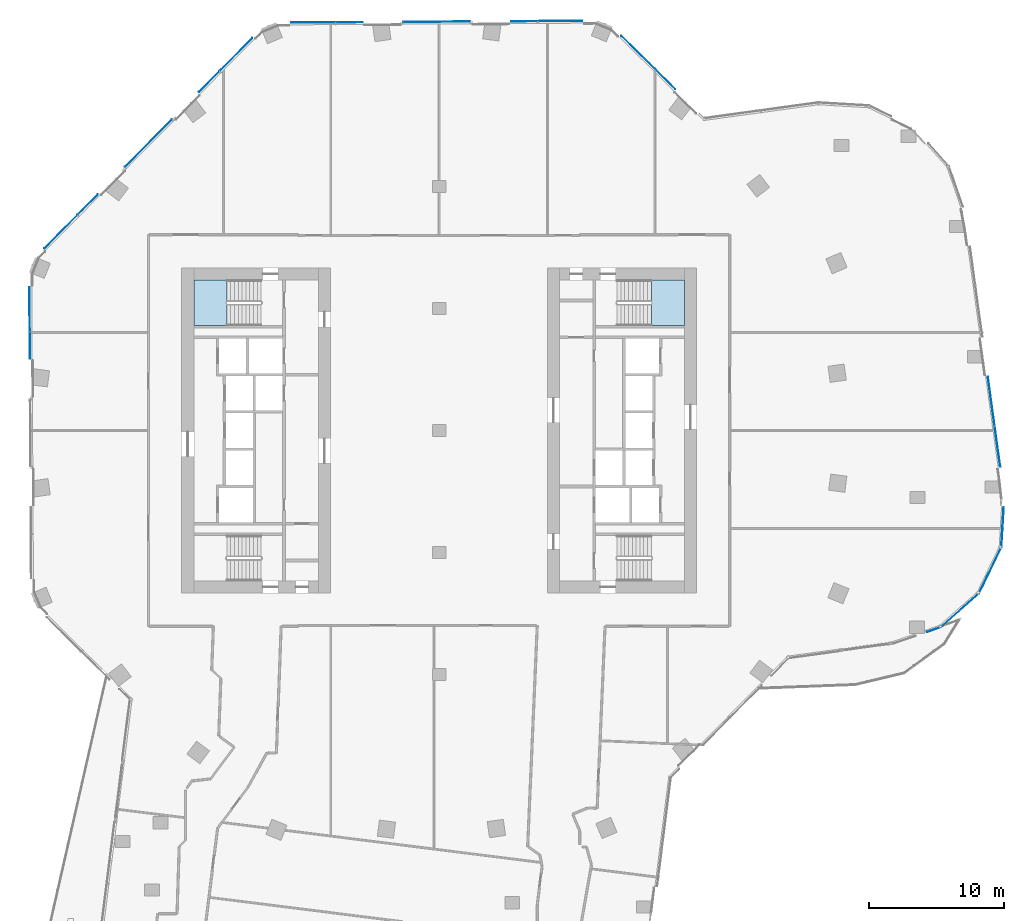
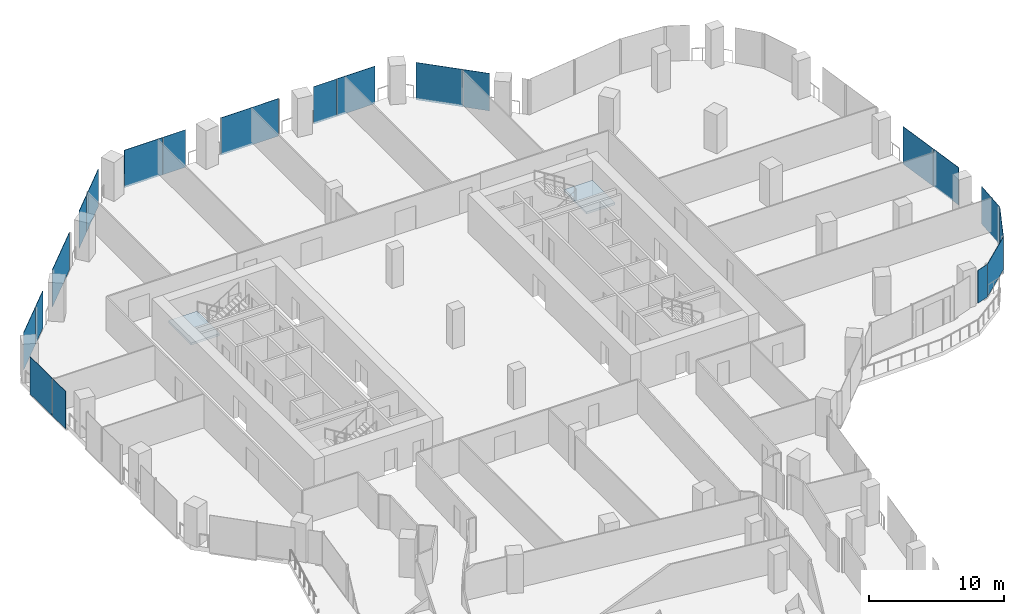
# One storey, part 17 of 29: 20 plates, 2 slabs, 11 elements without a shape of their own.
"""IFC4 building model written with IfcOpenShell, lengths in metres."""

from ifc_helpers import new_model, si_unit, direction, frame, origin, origin_2d, place, context, subcontext, project, spatial, polyline, rectangle, outline, extrude, material, layer, layer_set, type_object, element, aggregate, save


model = new_model("IFC4")

# Units and contexts
model_context = context("Model", 3, precision=1e-05, world=origin(), true_north=direction((0.0, 1.0)))
body_context = subcontext(model_context, "Body", "Model", "MODEL_VIEW")
ifc_project = project(units=[si_unit("LENGTHUNIT", "METRE"), si_unit("AREAUNIT", "SQUARE_METRE"), si_unit("VOLUMEUNIT", "CUBIC_METRE"), si_unit("PLANEANGLEUNIT", "RADIAN"), si_unit("MASSUNIT", "GRAM", prefix="KILO")], contexts=[model_context])

# Site, building, storey
site_placement = place(None, origin())
site = spatial("IfcSite", under=ifc_project, at=site_placement, CompositionType="ELEMENT")
building_placement = place(site_placement, origin())
building = spatial("IfcBuilding", under=site, at=building_placement, Name="Orlundy Tower", CompositionType="ELEMENT")
storey_placement = place(building_placement, frame((0.0, 0.0, 188.60009765625)))
storey = spatial("IfcBuildingStorey", under=building, at=storey_placement, Name="L49", CompositionType="ELEMENT", Elevation=188.60009765625)

# Curtain wall, plates
ifc_material_1 = material(Name="Aluminium bronze anodised", Category="aluminium")
curtain_wall_type = type_object("IfcCurtainWallType", Name="CW1 wall", PredefinedType="NOTDEFINED", material=ifc_material_1)
curtain_wall_1_placement = place(storey_placement, origin())
curtain_wall_1 = element("IfcCurtainWall", 1, at=curtain_wall_1_placement, inside=storey, type_object=curtain_wall_type, Name="CW1 run 02", PredefinedType="NOTDEFINED")
ifc_material_2 = material(Name="Tinted glass", Category="glass")
ifc_layer_1 = layer(ifc_material_2, 0.031982421875)
ifc_layer_set_1 = layer_set([ifc_layer_1], Name="CW1 glass panel 32")
plate_type = type_object("IfcPlateType", Name="CW1 glass panel 32", PredefinedType="CURTAIN_PANEL", material=ifc_layer_set_1)
plate_1_placement = place(storey_placement, frame((-30.201171875, 6.283447265625, -0.300048828125), z_axis=(0.0, 0.0, 1.0), x_axis=(-0.005834206419, 0.999982980873, 0.0)))
plate_1 = element("IfcPlate", 2, at=plate_1_placement, type_object=plate_type, Name="CW1 panel", PredefinedType="CURTAIN_PANEL", context=body_context, shape_type="SweptSolid", body=[
    extrude(rectangle(XDim=1.944091796875, YDim=0.031982421875, at=origin_2d()), origin(), (0.0, 0.0, 1.0), 3.3798828125),
])
plate_2_placement = place(storey_placement, frame((-30.216552734375, 8.938232421875, -0.300048828125), z_axis=(0.0, 0.0, 1.0), x_axis=(-0.005834206419, 0.999982980873, 0.0)))
plate_2 = element("IfcPlate", 3, at=plate_2_placement, type_object=plate_type, Name="CW1 panel", PredefinedType="CURTAIN_PANEL", context=body_context, shape_type="SweptSolid", body=[
    extrude(rectangle(XDim=3.265625, YDim=0.031982421875, at=origin_2d()), origin(), (0.0, 0.0, 1.0), 3.3798828125),
])
aggregate(curtain_wall_1, [plate_1, plate_2])

curtain_wall_2_placement = place(storey_placement, origin())
curtain_wall_2 = element("IfcCurtainWall", 4, at=curtain_wall_2_placement, inside=storey, type_object=curtain_wall_type, Name="CW1 run 03", PredefinedType="NOTDEFINED")
plate_3_placement = place(storey_placement, frame((-27.918701171875, 14.663818359375, -0.300048828125), z_axis=(0.0, 0.0, 1.0), x_axis=(0.702990637629, 0.711199102506, 0.0)))
plate_3 = element("IfcPlate", 5, at=plate_3_placement, type_object=plate_type, Name="CW1 panel", PredefinedType="CURTAIN_PANEL", context=body_context, shape_type="SweptSolid", body=[
    extrude(rectangle(XDim=3.432861328125, YDim=0.031982421875, at=origin_2d()), origin(), (0.0, 0.0, 1.0), 3.3798828125),
])
plate_4_placement = place(storey_placement, frame((-25.931640625, 16.674072265625, -0.300048828125), z_axis=(0.0, 0.0, 1.0), x_axis=(0.702990637629, 0.711199102506, 0.0)))
plate_4 = element("IfcPlate", 6, at=plate_4_placement, type_object=plate_type, Name="CW1 panel", PredefinedType="CURTAIN_PANEL", context=body_context, shape_type="SweptSolid", body=[
    extrude(rectangle(XDim=2.120361328125, YDim=0.031982421875, at=origin_2d()), origin(), (0.0, 0.0, 1.0), 3.3798828125),
])
plate_5_placement = place(storey_placement, frame((-21.453125, 21.204833984375, -0.300048828125), z_axis=(0.0, 0.0, 1.0), x_axis=(0.702990637629, 0.711199102506, 0.0)))
plate_5 = element("IfcPlate", 7, at=plate_5_placement, type_object=plate_type, Name="CW1 panel", PredefinedType="CURTAIN_PANEL", context=body_context, shape_type="SweptSolid", body=[
    extrude(rectangle(XDim=4.92041015625, YDim=0.031982421875, at=origin_2d()), origin(), (0.0, 0.0, 1.0), 3.3798828125),
])
plate_6_placement = place(storey_placement, frame((-16.976318359375, 25.73388671875, -0.300048828125), z_axis=(0.0, 0.0, 1.0), x_axis=(0.702990637629, 0.711199102506, 0.0)))
plate_6 = element("IfcPlate", 8, at=plate_6_placement, type_object=plate_type, Name="CW1 panel", PredefinedType="CURTAIN_PANEL", context=body_context, shape_type="SweptSolid", body=[
    extrude(rectangle(XDim=2.125, YDim=0.031982421875, at=origin_2d()), origin(), (0.0, 0.0, 1.0), 3.3798828125),
])
plate_7_placement = place(storey_placement, frame((-14.98974609375, 27.74365234375, -0.300048828125), z_axis=(0.0, 0.0, 1.0), x_axis=(0.702990637629, 0.711199102506, 0.0)))
plate_7 = element("IfcPlate", 9, at=plate_7_placement, type_object=plate_type, Name="CW1 panel", PredefinedType="CURTAIN_PANEL", context=body_context, shape_type="SweptSolid", body=[
    extrude(rectangle(XDim=3.427001953125, YDim=0.031982421875, at=origin_2d()), origin(), (0.0, 0.0, 1.0), 3.3798828125),
])
aggregate(curtain_wall_2, [plate_3, plate_4, plate_5, plate_6, plate_7])

curtain_wall_3_placement = place(storey_placement, origin())
curtain_wall_3 = element("IfcCurtainWall", 10, at=curtain_wall_3_placement, inside=storey, type_object=curtain_wall_type, Name="CW1 run 04", PredefinedType="NOTDEFINED")
plate_8_placement = place(storey_placement, frame((-9.28466796875, 30.1103515625, -0.300048828125), z_axis=(0.0, 0.0, 1.0), x_axis=(0.999982980873, 0.005834206419, 0.0)))
plate_8 = element("IfcPlate", 11, at=plate_8_placement, type_object=plate_type, Name="CW1 panel", PredefinedType="CURTAIN_PANEL", context=body_context, shape_type="SweptSolid", body=[
    extrude(rectangle(XDim=3.256591796875, YDim=0.031982421875, at=origin_2d()), origin(), (0.0, 0.0, 1.0), 3.3798828125),
])
plate_9_placement = place(storey_placement, frame((-6.6298828125, 30.125732421875, -0.300048828125), z_axis=(0.0, 0.0, 1.0), x_axis=(0.999982980873, 0.005834206419, 0.0)))
plate_9 = element("IfcPlate", 12, at=plate_9_placement, type_object=plate_type, Name="CW1 panel", PredefinedType="CURTAIN_PANEL", context=body_context, shape_type="SweptSolid", body=[
    extrude(rectangle(XDim=1.953125, YDim=0.031982421875, at=origin_2d()), origin(), (0.0, 0.0, 1.0), 3.3798828125),
])
plate_10_placement = place(storey_placement, frame((-0.175537109375, 30.16357421875, -0.300048828125), z_axis=(0.0, 0.0, 1.0), x_axis=(0.999982980873, 0.005834206419, 0.0)))
plate_10 = element("IfcPlate", 13, at=plate_10_placement, type_object=plate_type, Name="CW1 panel", PredefinedType="CURTAIN_PANEL", context=body_context, shape_type="SweptSolid", body=[
    extrude(rectangle(XDim=4.920654296875, YDim=0.031982421875, at=origin_2d()), origin(), (0.0, 0.0, 1.0), 3.3798828125),
])
plate_11_placement = place(storey_placement, frame((6.283447265625, 30.201171875, -0.300048828125), z_axis=(0.0, 0.0, 1.0), x_axis=(0.999982980873, 0.005834206419, 0.0)))
plate_11 = element("IfcPlate", 14, at=plate_11_placement, type_object=plate_type, Name="CW1 panel", PredefinedType="CURTAIN_PANEL", context=body_context, shape_type="SweptSolid", body=[
    extrude(rectangle(XDim=1.944091796875, YDim=0.031982421875, at=origin_2d()), origin(), (0.0, 0.0, 1.0), 3.3798828125),
])
plate_12_placement = place(storey_placement, frame((8.938232421875, 30.216552734375, -0.300048828125), z_axis=(0.0, 0.0, 1.0), x_axis=(0.999982980873, 0.005834206419, 0.0)))
plate_12 = element("IfcPlate", 15, at=plate_12_placement, type_object=plate_type, Name="CW1 panel", PredefinedType="CURTAIN_PANEL", context=body_context, shape_type="SweptSolid", body=[
    extrude(rectangle(XDim=3.265625, YDim=0.031982421875, at=origin_2d()), origin(), (0.0, 0.0, 1.0), 3.3798828125),
])
aggregate(curtain_wall_3, [plate_8, plate_9, plate_10, plate_11, plate_12])

curtain_wall_4_placement = place(storey_placement, origin())
curtain_wall_4 = element("IfcCurtainWall", 16, at=curtain_wall_4_placement, inside=storey, type_object=curtain_wall_type, Name="CW1 run 05", PredefinedType="NOTDEFINED")
plate_13_placement = place(storey_placement, frame((14.71630859375, 27.86669921875, -0.300048828125), z_axis=(0.0, 0.0, 1.0), x_axis=(0.711197941896, -0.702991811789, 0.0)))
plate_13 = element("IfcPlate", 17, at=plate_13_placement, type_object=plate_type, Name="CW1 panel", PredefinedType="CURTAIN_PANEL", context=body_context, shape_type="SweptSolid", body=[
    extrude(rectangle(XDim=3.58056640625, YDim=0.031982421875, at=origin_2d()), origin(), (0.0, 0.0, 1.0), 3.3798828125),
])
plate_14_placement = place(storey_placement, frame((16.7265625, 25.879638671875, -0.300048828125), z_axis=(0.0, 0.0, 1.0), x_axis=(0.711197941896, -0.702991811789, 0.0)))
plate_14 = element("IfcPlate", 18, at=plate_14_placement, type_object=plate_type, Name="CW1 panel", PredefinedType="CURTAIN_PANEL", context=body_context, shape_type="SweptSolid", body=[
    extrude(rectangle(XDim=1.97265625, YDim=0.031982421875, at=origin_2d()), origin(), (0.0, 0.0, 1.0), 3.3798828125),
])
aggregate(curtain_wall_4, [plate_13, plate_14])

curtain_wall_5_placement = place(storey_placement, origin())
curtain_wall_5 = element("IfcCurtainWall", 19, at=curtain_wall_5_placement, inside=storey, type_object=curtain_wall_type, Name="CW1 run 011", PredefinedType="NOTDEFINED")
plate_15_placement = place(storey_placement, frame((40.749267578125, 2.164306640625, -0.300048828125), z_axis=(0.0, 0.0, 1.0), x_axis=(0.13628610677, -0.990669519619, 0.0)))
plate_15 = element("IfcPlate", 20, at=plate_15_placement, type_object=plate_type, Name="CW1 panel", PredefinedType="CURTAIN_PANEL", context=body_context, shape_type="SweptSolid", body=[
    extrude(rectangle(XDim=3.630126953125, YDim=0.031982421875, at=origin_2d()), origin(), (0.0, 0.0, 1.0), 3.3798828125),
])
plate_16_placement = place(storey_placement, frame((41.209716796875, -1.183837890625, -0.300048828125), z_axis=(0.0, 0.0, 1.0), x_axis=(0.13628610677, -0.990669519619, 0.0)))
plate_16 = element("IfcPlate", 21, at=plate_16_placement, type_object=plate_type, Name="CW1 panel", PredefinedType="CURTAIN_PANEL", context=body_context, shape_type="SweptSolid", body=[
    extrude(rectangle(XDim=3.029052734375, YDim=0.031982421875, at=origin_2d()), origin(), (0.0, 0.0, 1.0), 3.3798828125),
])
aggregate(curtain_wall_5, [plate_15, plate_16])

# Curtain wall, plate
curtain_wall_6_placement = place(storey_placement, origin())
curtain_wall_6 = element("IfcCurtainWall", 22, at=curtain_wall_6_placement, inside=storey, type_object=curtain_wall_type, Name="CW1 run 012", PredefinedType="NOTDEFINED")
plate_17_placement = place(storey_placement, frame((41.582275390625, -7.14111328125, -0.300048828125), z_axis=(0.0, 0.0, 1.0), x_axis=(-0.059623466872, -0.998220938569, 0.0)))
plate_17 = element("IfcPlate", 23, at=plate_17_placement, type_object=plate_type, Name="CW1 panel", PredefinedType="CURTAIN_PANEL", context=body_context, shape_type="SweptSolid", body=[
    extrude(rectangle(XDim=2.971923828125, YDim=0.031982421875, at=origin_2d()), origin(), (0.0, 0.0, 1.0), 3.3798828125),
])
aggregate(curtain_wall_6, [plate_17])

curtain_wall_7_placement = place(storey_placement, origin())
curtain_wall_7 = element("IfcCurtainWall", 24, at=curtain_wall_7_placement, inside=storey, type_object=curtain_wall_type, Name="CW1 run 013", PredefinedType="NOTDEFINED")
plate_18_placement = place(storey_placement, frame((40.66943359375, -10.320556640625, -0.300048828125), z_axis=(0.0, 0.0, 1.0), x_axis=(-0.437041163358, -0.899441505342, 0.0)))
plate_18 = element("IfcPlate", 25, at=plate_18_placement, type_object=plate_type, Name="CW1 panel", PredefinedType="CURTAIN_PANEL", context=body_context, shape_type="SweptSolid", body=[
    extrude(rectangle(XDim=3.77197265625, YDim=0.031982421875, at=origin_2d()), origin(), (0.0, 0.0, 1.0), 3.3798828125),
])
aggregate(curtain_wall_7, [plate_18])

curtain_wall_8_placement = place(storey_placement, origin())
curtain_wall_8 = element("IfcCurtainWall", 26, at=curtain_wall_8_placement, inside=storey, type_object=curtain_wall_type, Name="CW1 run 014", PredefinedType="NOTDEFINED")
plate_19_placement = place(storey_placement, frame((38.434814453125, -13.2685546875, 0.119873046875), z_axis=(0.0, 0.0, 1.0), x_axis=(-0.747944996694, -0.663760711342, 0.0)))
plate_19 = element("IfcPlate", 27, at=plate_19_placement, type_object=plate_type, Name="CW1 panel", PredefinedType="CURTAIN_PANEL", context=body_context, shape_type="SweptSolid", body=[
    extrude(rectangle(XDim=3.771484375, YDim=0.031982421875, at=origin_2d()), origin(), (0.0, 0.0, 1.0), 2.9599609375),
])
aggregate(curtain_wall_8, [plate_19])

curtain_wall_9_placement = place(storey_placement, origin())
curtain_wall_9 = element("IfcCurtainWall", 28, at=curtain_wall_9_placement, inside=storey, type_object=curtain_wall_type, Name="CW1 run 015", PredefinedType="NOTDEFINED")
plate_20_placement = place(storey_placement, frame((36.51611328125, -14.696044921875, 0.119873046875), z_axis=(0.0, 0.0, 1.0), x_axis=(-0.945034174317, -0.32697157273, 0.0)))
plate_20 = element("IfcPlate", 29, at=plate_20_placement, type_object=plate_type, Name="CW1 panel", PredefinedType="CURTAIN_PANEL", context=body_context, shape_type="SweptSolid", body=[
    extrude(rectangle(XDim=1.07568359375, YDim=0.031982421875, at=origin_2d()), origin(), (0.0, 0.0, 1.0), 2.9599609375),
])
aggregate(curtain_wall_9, [plate_20])

# Stair, slab
ifc_material_3 = material(Name="Concrete C50/60", Category="concrete")
stair_type = type_object("IfcStairType", Name="Exit Stair 20 risers", PredefinedType="HALF_TURN_STAIR", material=ifc_material_3)
stair_1_placement = place(storey_placement, origin())
stair_1 = element("IfcStair", 30, at=stair_1_placement, inside=storey, type_object=stair_type, Name="L49 Exit Stair ST-W1", PredefinedType="HALF_TURN_STAIR")
ifc_material_4 = material(Name="Concrete C50/60", Category="concrete")
ifc_layer_2 = layer(ifc_material_4, 0.199951171875)
ifc_layer_set_2 = layer_set([ifc_layer_2], Name="Exit Stair Landing")
slab_type = type_object("IfcSlabType", Name="Exit Stair Landing", PredefinedType="LANDING", material=ifc_layer_set_2)
slab_1_placement = place(storey_placement, frame((0.0, 0.0, 1.5498046875)))
slab_1 = element("IfcSlab", 31, at=slab_1_placement, type_object=slab_type, Name="ST-W1 landing 1", PredefinedType="LANDING", context=body_context, shape_type="SweptSolid", body=[
    extrude(outline(polyline([(-15.659912109375, 11.10009765625), (-18.10009765625, 11.10009765625), (-18.10009765625, 7.75), (-15.659912109375, 7.75), (-15.659912109375, 11.10009765625)])), origin(), (0.0, 0.0, 1.0), 0.2001953125),
])
aggregate(stair_1, [slab_1])

stair_2_placement = place(storey_placement, origin())
stair_2 = element("IfcStair", 32, at=stair_2_placement, inside=storey, type_object=stair_type, Name="L49 Exit Stair ST-E2", PredefinedType="HALF_TURN_STAIR")
slab_2_placement = place(storey_placement, frame((0.0, 0.0, 1.5498046875)))
slab_2 = element("IfcSlab", 33, at=slab_2_placement, type_object=slab_type, Name="ST-E2 landing 1", PredefinedType="LANDING", context=body_context, shape_type="SweptSolid", body=[
    extrude(outline(polyline([(15.659912109375, 7.75), (18.10009765625, 7.75), (18.10009765625, 11.10009765625), (15.659912109375, 11.10009765625), (15.659912109375, 7.75)])), origin(), (0.0, 0.0, 1.0), 0.2001953125),
])
aggregate(stair_2, [slab_2])

save(model, "model.ifc")
